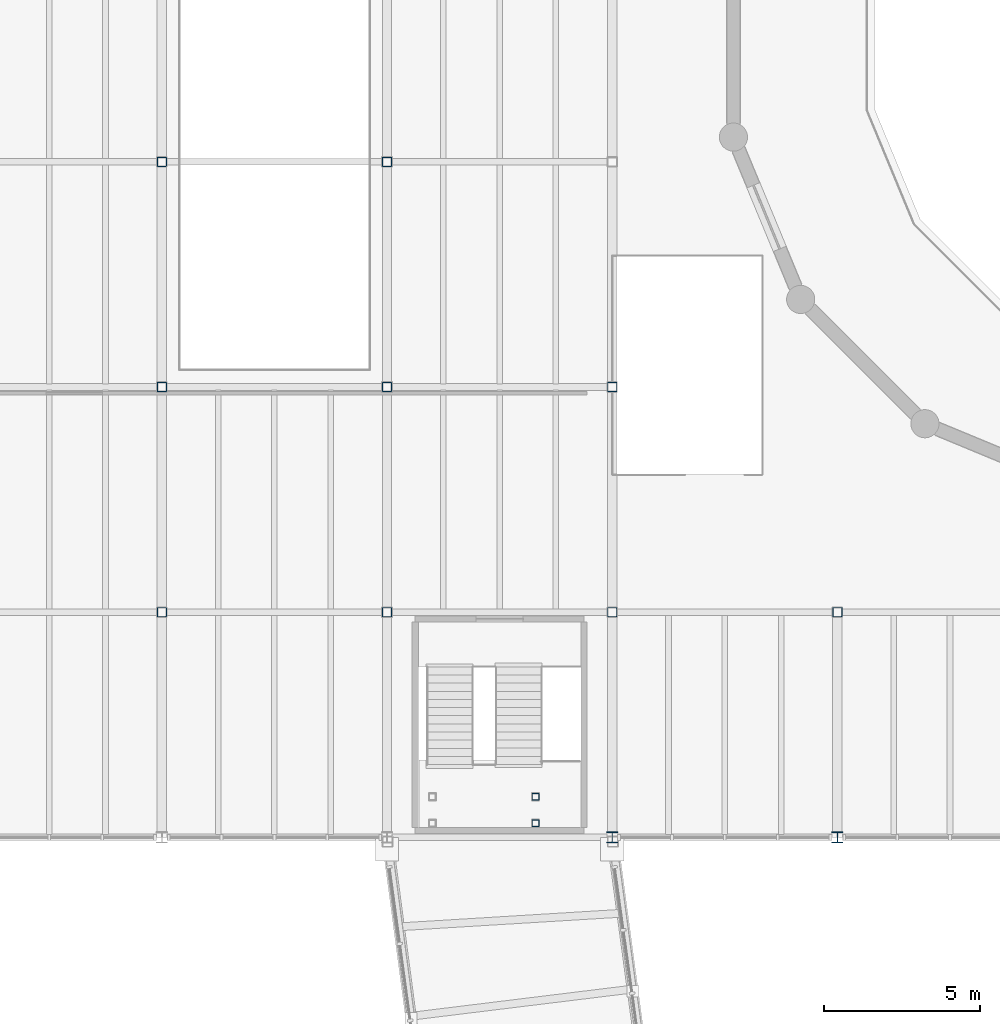
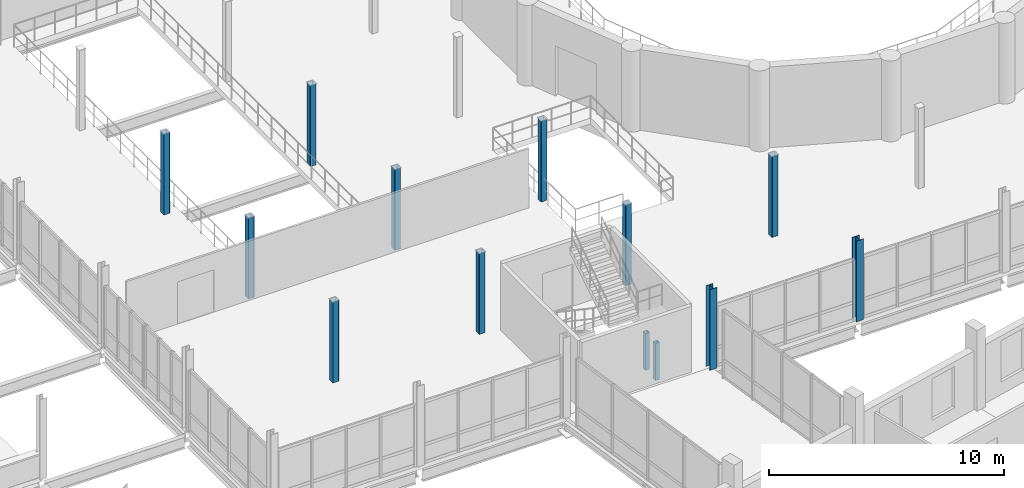
# One storey, part 3 of 72: 13 columns.
"""IFC4 building model written with IfcOpenShell, lengths in metres."""

import ifcopenshell
import ifcopenshell.guid

model = None  # the IFC model being written
_history = None  # IfcOwnerHistory: only IFC2X3 demands one
_inside = {}  # id of a spatial element -> (the spatial element, [elements in it])
_under = {}  # id of a project, library or spatial element -> (it, [spatial elements below it])
_declared = {}  # id of a project -> (the project, [libraries it declares])
_typed = {}  # id of a type object -> (the type object, [elements of that type])
_made_of = {}  # id of a material, layer set ... -> (it, [elements and type objects made of it])


def new_model(schema):
    """Start an empty IFC model of exactly this schema.

    Asked for "IFC4X3", IfcOpenShell would pick the latest addendum, in which some entities
    have other attributes; the version numbers below select the first issue.
    IFC2X3 requires an IfcOwnerHistory on every rooted entity: one is made here for all.
    """
    global model, _history
    if schema == "IFC4X3":
        model = ifcopenshell.file(schema_version=(4, 3, 0, 0))
    else:
        model = ifcopenshell.file(schema=schema)
    _inside.clear()
    _under.clear()
    _declared.clear()
    _typed.clear()
    _made_of.clear()
    _history = None
    if model.schema == "IFC2X3":
        org = make("IfcOrganization", Name="unknown")
        user = make(
            "IfcPersonAndOrganization",
            ThePerson=make("IfcPerson", FamilyName="unknown"),
            TheOrganization=org,
        )
        app = make(
            "IfcApplication",
            ApplicationDeveloper=org,
            Version="unknown",
            ApplicationFullName="unknown",
            ApplicationIdentifier="unknown",
        )
        _history = make(
            "IfcOwnerHistory",
            OwningUser=user,
            OwningApplication=app,
            ChangeAction="ADDED",
            CreationDate=0,
        )
    return model


def make(cls, **values):
    """One entity of the class cls with the attributes given. An attribute that is None is left unset."""
    return model.create_entity(
        cls, **{name: value for name, value in values.items() if value is not None}
    )


def rooted(cls, **values):
    """An entity with a GlobalId (a new one), such as an element, a storey or a relation."""
    return make(cls, GlobalId=ifcopenshell.guid.new(), OwnerHistory=_history, **values)


def si_unit(unit_type, name, prefix=None):
    """IfcSIUnit, for example si_unit("LENGTHUNIT", "METRE", prefix="MILLI")."""
    return make("IfcSIUnit", UnitType=unit_type, Prefix=prefix, Name=name)


def assignment(units):
    """IfcUnitAssignment: the units of a project."""
    return None if units is None else make("IfcUnitAssignment", Units=units)


def point(xyz):
    """IfcCartesianPoint."""
    return None if xyz is None else make("IfcCartesianPoint", Coordinates=xyz)


def direction(xyz):
    """IfcDirection."""
    return None if xyz is None else make("IfcDirection", DirectionRatios=xyz)


def frame(location, z_axis=None, x_axis=None):
    """IfcAxis2Placement3D, a coordinate frame: its origin and axes. An axis left out is left unset."""
    return make(
        "IfcAxis2Placement3D",
        Location=point(location),
        Axis=direction(z_axis),
        RefDirection=direction(x_axis),
    )


def frame_2d(location, x_axis=None):
    """IfcAxis2Placement2D, a coordinate frame in the plane: its origin and x axis."""
    return make(
        "IfcAxis2Placement2D", Location=point(location), RefDirection=direction(x_axis)
    )


def origin():
    """The frame at (0, 0, 0) with its axes left unset."""
    return frame((0.0, 0.0, 0.0))


def origin_2d():
    """The frame at (0, 0) in the plane with its x axis left unset."""
    return frame_2d((0.0, 0.0))


def place(relative_to, where):
    """IfcLocalPlacement: puts the frame where relative to a parent placement (None: the world)."""
    return make(
        "IfcLocalPlacement", PlacementRelTo=relative_to, RelativePlacement=where
    )


def context(
    kind, dimensions, precision=None, world=None, true_north=None, identifier=None
):
    """IfcGeometricRepresentationContext, for example the 3D "Model" context."""
    return make(
        "IfcGeometricRepresentationContext",
        ContextIdentifier=identifier,
        ContextType=kind,
        CoordinateSpaceDimension=dimensions,
        Precision=precision,
        WorldCoordinateSystem=world,
        TrueNorth=true_north,
    )


def subcontext(parent, identifier, kind, view, scale=None):
    """IfcGeometricRepresentationSubContext, for example "Body" below "Model"."""
    return make(
        "IfcGeometricRepresentationSubContext",
        ContextIdentifier=identifier,
        ContextType=kind,
        ParentContext=parent,
        TargetScale=scale,
        TargetView=view,
    )


def project(units=None, contexts=None):
    """IfcProject with its units and contexts."""
    return rooted(
        "IfcProject",
        Name="project",
        RepresentationContexts=contexts,
        UnitsInContext=assignment(units),
    )


def spatial(cls, under=None, at=None, **own):
    """A site, building, storey or space (cls), placed at a placement, below another one or the project."""
    s = rooted(cls, ObjectPlacement=at, **own)
    if under is not None:
        _under.setdefault(under.id(), (under, []))[1].append(s)
    return s


def profile(cls, at=None, kind="AREA", **sizes):
    """A parametric profile (cls). Its sizes go by their IFC names, for example OverallWidth=200.0."""
    return make(cls, ProfileType=kind, Position=at, **sizes)


def hollow_rectangle(**sizes):
    """IfcRectangleHollowProfileDef."""
    return profile("IfcRectangleHollowProfileDef", **sizes)


def i_section(**sizes):
    """IfcIShapeProfileDef."""
    return profile("IfcIShapeProfileDef", **sizes)


def extrude(swept, where, along, depth):
    """IfcExtrudedAreaSolid: the profile swept, set in the frame where, extruded along a direction by depth."""
    return make(
        "IfcExtrudedAreaSolid",
        SweptArea=swept,
        Position=where,
        ExtrudedDirection=direction(along),
        Depth=depth,
    )


def shape(context_of_items, identifier, shape_type, items):
    """IfcShapeRepresentation: the items that make up one representation, for example the "Body"."""
    return make(
        "IfcShapeRepresentation",
        ContextOfItems=context_of_items,
        RepresentationIdentifier=identifier,
        RepresentationType=shape_type,
        Items=items,
    )


def material(Name=None, Category=None):
    """IfcMaterial."""
    return make("IfcMaterial", Name=Name, Category=Category)


def material_profile(
    of_material, cross_section, Name=None, Category=None, Priority=None
):
    """IfcMaterialProfile: a cross section and its material."""
    return make(
        "IfcMaterialProfile",
        Name=Name,
        Material=of_material,
        Profile=cross_section,
        Priority=Priority,
        Category=Category,
    )


def profile_set(profiles, Name=None, composite=None):
    """IfcMaterialProfileSet."""
    return make(
        "IfcMaterialProfileSet",
        Name=Name,
        MaterialProfiles=profiles,
        CompositeProfile=composite,
    )


def made_of(thing, what):
    """Note that an element or type object is made of a material, layer set ...; save() writes the relation."""
    if what is not None:
        _made_of.setdefault(what.id(), (what, []))[1].append(thing)
    return thing


def type_object(cls, material=None, **own):
    """A type object (cls), such as IfcWallType, which elements share."""
    return made_of(rooted(cls, **own), material)


def element(
    cls,
    number,
    at=None,
    inside=None,
    cuts=None,
    type_object=None,
    material=None,
    context=None,
    identifier="Body",
    shape_type=None,
    held_by="IfcProductDefinitionShape",
    body=None,
    shapes=None,
    **own,
):
    """One element of the class cls, such as IfcWall. Its Tag is "e" and its number.

    at: its placement. inside: the storey or other place that contains it. cuts: it is an
    opening in that element (IfcRelVoidsElement). A single representation is given by context,
    identifier, shape_type and body (its items); several are given by shapes. held_by: the class
    of the entity that holds the representations. save() writes the other relations.
    """
    e = rooted(cls, Tag="e%d" % number, ObjectPlacement=at, **own)
    if body is not None:
        shapes = [shape(context, identifier, shape_type, body)]
    if shapes is not None:
        e.Representation = make(held_by, Representations=shapes)
    if inside is not None:
        _inside.setdefault(inside.id(), (inside, []))[1].append(e)
    if cuts is not None:
        rooted(
            "IfcRelVoidsElement", RelatingBuildingElement=cuts, RelatedOpeningElement=e
        )
    if type_object is not None:
        _typed.setdefault(type_object.id(), (type_object, []))[1].append(e)
    return made_of(e, material)


def aggregate(whole, parts):
    """IfcRelAggregates: a whole, such as a stair, and the parts it consists of."""
    return rooted("IfcRelAggregates", RelatingObject=whole, RelatedObjects=parts)


def save(model, path):
    """Write the relations noted so far, then the file.

    IfcRelAggregates (storeys below a building ...), IfcRelContainedInSpatialStructure (elements
    in a storey), IfcRelDefinesByType, IfcRelAssociatesMaterial and IfcRelDeclares: one each for
    every whole, place, type object, material and project.
    """
    for whole, parts in _under.values():
        aggregate(whole, parts)
    for where, things in _inside.values():
        rooted(
            "IfcRelContainedInSpatialStructure",
            RelatedElements=things,
            RelatingStructure=where,
        )
    for kind, things in _typed.values():
        rooted("IfcRelDefinesByType", RelatedObjects=things, RelatingType=kind)
    for what, things in _made_of.values():
        rooted("IfcRelAssociatesMaterial", RelatedObjects=things, RelatingMaterial=what)
    for by, libraries in _declared.values():
        rooted("IfcRelDeclares", RelatingContext=by, RelatedDefinitions=libraries)
    model.write(path)


model = new_model("IFC4")

# Units and contexts
model_context = context("Model", 3, precision=1e-05, world=origin(), true_north=direction((0.0, 1.0)))
body_context = subcontext(model_context, "Body", "Model", "MODEL_VIEW")
ifc_project = project(units=[si_unit("LENGTHUNIT", "METRE"), si_unit("AREAUNIT", "SQUARE_METRE"), si_unit("VOLUMEUNIT", "CUBIC_METRE"), si_unit("PLANEANGLEUNIT", "RADIAN"), si_unit("MASSUNIT", "GRAM", prefix="KILO")], contexts=[model_context])

# Site, building, storey
site_placement = place(None, origin())
site = spatial("IfcSite", under=ifc_project, at=site_placement, CompositionType="ELEMENT")
building_placement = place(site_placement, origin())
building = spatial("IfcBuilding", under=site, at=building_placement, Name="Qiaolan Assembly House", CompositionType="ELEMENT")
storey_placement = place(building_placement, frame((0.0, 0.0, 10.199951171875)))
storey = spatial("IfcBuildingStorey", under=building, at=storey_placement, Name="L02", CompositionType="ELEMENT", Elevation=10.199951171875)

# Columns
ifc_material = material(Name="Steel Q355B", Category="steel")
ifc_material_profile_1 = material_profile(ifc_material, i_section(OverallWidth=0.35009765625, OverallDepth=0.35009765625, WebThickness=0.011962890625, FlangeThickness=0.01904296875, FilletRadius=0.02001953125, at=origin_2d()), Name="HW 350x350x12x19")
ifc_profile_set_1 = profile_set([ifc_material_profile_1], Name="Steel Q355B")
column_type_1 = type_object("IfcColumnType", Name="COL-STL-HW350", PredefinedType="COLUMN", material=ifc_profile_set_1)
for number, where, z_axis, x_axis, name in (
    (1, (50.39990234375, 36.0, 0.0), (0.0, 0.0, 1.0), (1.0, 0.0, 0.0), "SC-02 hall column L02"),
    (2, (57.60009765625, 36.0, 0.0), (0.0, 0.0, 1.0), (1.0, 0.0, 0.0), "SC-02 hall column L02"),
):
    element("IfcColumn", number, at=place(storey_placement, frame(where, z_axis=z_axis, x_axis=x_axis)), inside=storey, type_object=column_type_1, Name=name, PredefinedType="COLUMN", context=body_context, shape_type="SweptSolid", body=[
        extrude(i_section(OverallWidth=0.35009765625, OverallDepth=0.35009765625, WebThickness=0.011962890625, FlangeThickness=0.01904296875, FilletRadius=0.02001953125, at=origin_2d()), origin(), (0.0, 0.0, 1.0), 4.199951171875),
    ])
ifc_material_profile_2 = material_profile(ifc_material, hollow_rectangle(XDim=0.219970703125, YDim=0.219970703125, WallThickness=0.010009765625, InnerFilletRadius=0.010009765625, OuterFilletRadius=0.02001953125, at=origin_2d()), Name="SHS 220x220x10")
ifc_profile_set_2 = profile_set([ifc_material_profile_2], Name="Steel Q355B")
column_type_2 = type_object("IfcColumnType", Name="COL-STL-SHS220", PredefinedType="COLUMN", material=ifc_profile_set_2)
for number, where, z_axis, x_axis, name in (
    (3, (47.949951171875, 36.449951171875, 0.0), (0.0, 0.0, 1.0), (1.0, 0.0, 0.0), "SC-08 foyer stair L02 column F1-2"),
    (4, (47.949951171875, 37.300048828125, 0.0), (0.0, 0.0, 1.0), (1.0, 0.0, 0.0), "SC-08 foyer stair L02 column F1-4"),
):
    element("IfcColumn", number, at=place(storey_placement, frame(where, z_axis=z_axis, x_axis=x_axis)), inside=storey, type_object=column_type_2, Name=name, PredefinedType="COLUMN", context=body_context, shape_type="SweptSolid", body=[
        extrude(hollow_rectangle(XDim=0.219970703125, YDim=0.219970703125, WallThickness=0.010009765625, InnerFilletRadius=0.010009765625, OuterFilletRadius=0.02001953125, at=origin_2d()), origin(), (0.0, 0.0, 1.0), 1.920166015625),
    ])
ifc_material_profile_3 = material_profile(ifc_material, hollow_rectangle(XDim=0.300048828125, YDim=0.300048828125, WallThickness=0.011962890625, InnerFilletRadius=0.011962890625, OuterFilletRadius=0.02392578125, at=origin_2d()), Name="SHS 300x300x12")
ifc_profile_set_3 = profile_set([ifc_material_profile_3], Name="Steel Q355B")
column_type_3 = type_object("IfcColumnType", Name="COL-STL-SHS300", PredefinedType="COLUMN", material=ifc_profile_set_3)
for number, where, z_axis, x_axis, name in (
    (5, (36.0, 43.199951171875, 0.0), (0.0, 0.0, 1.0), (1.0, 0.0, 0.0), "SC-05 hall column L02"),
    (6, (36.0, 50.39990234375, 0.0), (0.0, 0.0, 1.0), (1.0, 0.0, 0.0), "SC-05 hall column L02"),
    (7, (36.0, 57.60009765625, 0.0), (0.0, 0.0, 1.0), (1.0, 0.0, 0.0), "SC-05 hall column L02"),
    (8, (43.199951171875, 43.199951171875, 0.0), (0.0, 0.0, 1.0), (1.0, 0.0, 0.0), "SC-05 hall column L02"),
    (9, (43.199951171875, 50.39990234375, 0.0), (0.0, 0.0, 1.0), (1.0, 0.0, 0.0), "SC-05 hall column L02"),
    (10, (43.199951171875, 57.60009765625, 0.0), (0.0, 0.0, 1.0), (1.0, 0.0, 0.0), "SC-05 hall column L02"),
    (11, (50.39990234375, 43.199951171875, 0.0), (0.0, 0.0, 1.0), (1.0, 0.0, 0.0), "SC-05 hall column L02"),
    (12, (50.39990234375, 50.39990234375, 0.0), (0.0, 0.0, 1.0), (1.0, 0.0, 0.0), "SC-05 hall column L02"),
    (13, (57.60009765625, 43.199951171875, 0.0), (0.0, 0.0, 1.0), (1.0, 0.0, 0.0), "SC-05 hall column L02"),
):
    element("IfcColumn", number, at=place(storey_placement, frame(where, z_axis=z_axis, x_axis=x_axis)), inside=storey, type_object=column_type_3, Name=name, PredefinedType="COLUMN", context=body_context, shape_type="SweptSolid", body=[
        extrude(hollow_rectangle(XDim=0.300048828125, YDim=0.300048828125, WallThickness=0.011962890625, InnerFilletRadius=0.011962890625, OuterFilletRadius=0.02392578125, at=origin_2d()), origin(), (0.0, 0.0, 1.0), 4.199951171875),
    ])

save(model, "model.ifc")
